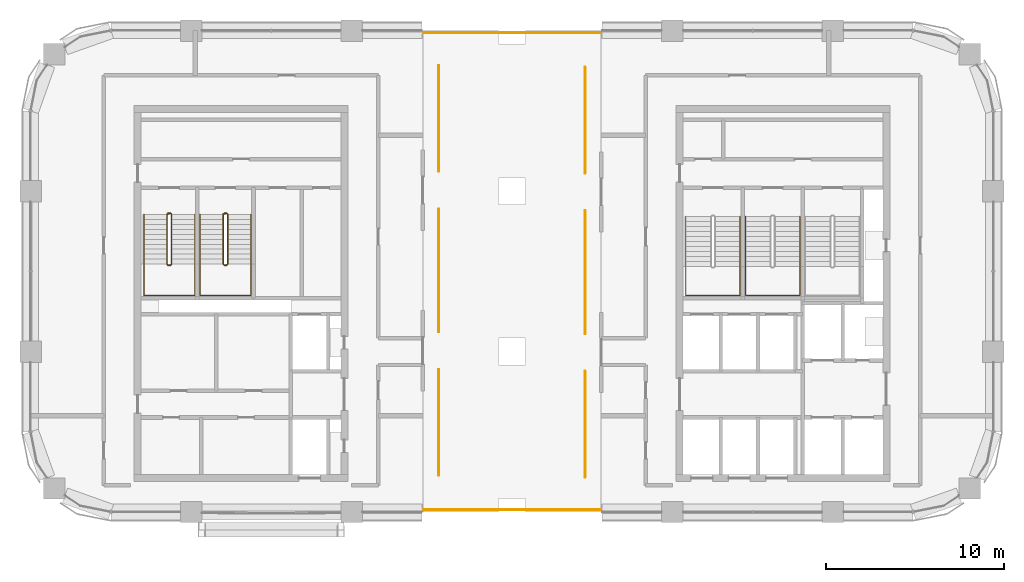
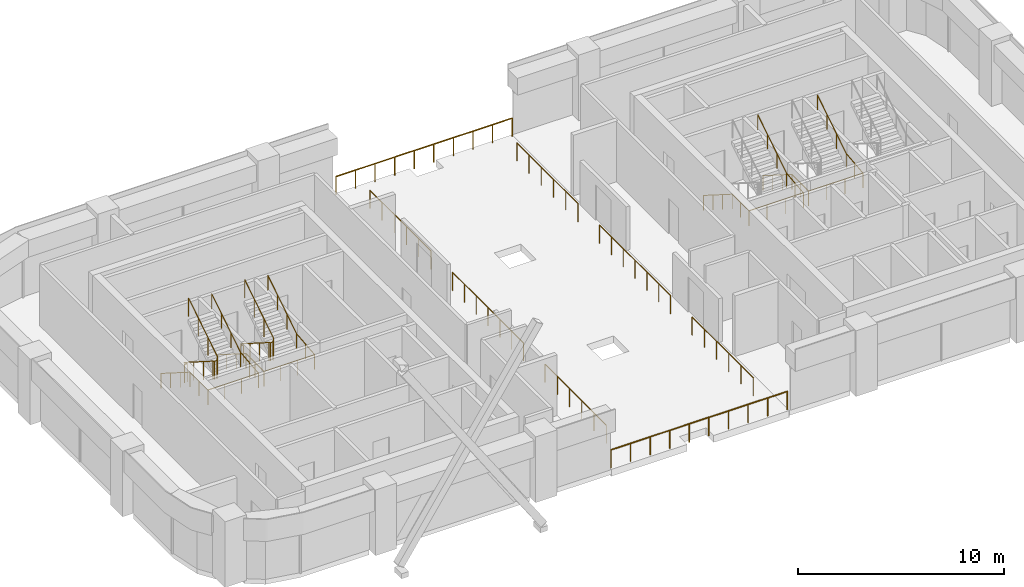
# One storey, part 10 of 11: 14 railings.
"""IFC4 building model written with IfcOpenShell, lengths in metres."""

from ifc_helpers import new_model, si_unit, direction, frame, origin, origin_2d, place, context, subcontext, project, spatial, circle, extrude, material, type_object, element, save


model = new_model("IFC4")

# Units and contexts
model_context = context("Model", 3, precision=1e-05, world=origin(), true_north=direction((0.0, 1.0)))
body_context = subcontext(model_context, "Body", "Model", "MODEL_VIEW")
ifc_project = project(units=[si_unit("LENGTHUNIT", "METRE"), si_unit("AREAUNIT", "SQUARE_METRE"), si_unit("VOLUMEUNIT", "CUBIC_METRE"), si_unit("PLANEANGLEUNIT", "RADIAN"), si_unit("MASSUNIT", "GRAM", prefix="KILO")], contexts=[model_context])

# Site, building, storey
site_placement = place(None, origin())
site = spatial("IfcSite", under=ifc_project, at=site_placement, CompositionType="ELEMENT")
building_placement = place(site_placement, origin())
building = spatial("IfcBuilding", under=site, at=building_placement, Name="Tessera Arch", CompositionType="ELEMENT")
storey_placement = place(building_placement, frame((0.0, 0.0, 203.300048828125)))
storey = spatial("IfcBuildingStorey", under=building, at=storey_placement, Name="L48", CompositionType="ELEMENT", Elevation=203.300048828125)

# Railings
ifc_material_1 = material(Name="Stainless steel and clear glass", Category="steel")
railing_type_1 = type_object("IfcRailingType", Name="Guard 1100", PredefinedType="GUARDRAIL", material=ifc_material_1)
railing_1_placement = place(storey_placement, frame((31.949951171875, 27.1201171875, 0.0)))
element("IfcRailing", 1, at=railing_1_placement, inside=storey, type_object=railing_type_1, Name="Guard wind gallery 1", PredefinedType="GUARDRAIL", context=body_context, shape_type="SweptSolid", body=[
    extrude(circle(Radius=0.02490234375, at=origin_2d()), frame((0.00390625, 0.0, 1.0751953125), z_axis=(-1.0, 0.0, 0.0), x_axis=(0.0, -1.0, 0.0)), (0.0, 0.0, 1.0), 9.907958984375),
    extrude(circle(Radius=0.02001953125, at=origin_2d()), origin(), (0.0, 0.0, 1.0), 1.06201171875),
    extrude(circle(Radius=0.02001953125, at=origin_2d()), frame((-1.10009765625, 0.0, 0.0)), (0.0, 0.0, 1.0), 1.06201171875),
    extrude(circle(Radius=0.02001953125, at=origin_2d()), frame((-2.199951171875, 0.0, 0.0)), (0.0, 0.0, 1.0), 1.06201171875),
    extrude(circle(Radius=0.02001953125, at=origin_2d()), frame((-3.300048828125, 0.0, 0.0)), (0.0, 0.0, 1.0), 1.06201171875),
    extrude(circle(Radius=0.02001953125, at=origin_2d()), frame((-4.39990234375, 0.0, 0.0)), (0.0, 0.0, 1.0), 1.06201171875),
    extrude(circle(Radius=0.02001953125, at=origin_2d()), frame((-5.5, 0.0, 0.0)), (0.0, 0.0, 1.0), 1.06201171875),
    extrude(circle(Radius=0.02001953125, at=origin_2d()), frame((-6.599853515625, 0.0, 0.0)), (0.0, 0.0, 1.0), 1.06201171875),
    extrude(circle(Radius=0.02001953125, at=origin_2d()), frame((-7.699951171875, 0.0, 0.0)), (0.0, 0.0, 1.0), 1.06201171875),
    extrude(circle(Radius=0.02001953125, at=origin_2d()), frame((-8.7998046875, 0.0, 0.0)), (0.0, 0.0, 1.0), 1.06201171875),
    extrude(circle(Radius=0.02001953125, at=origin_2d()), frame((-9.89990234375, 0.0, 0.0)), (0.0, 0.0, 1.0), 1.06201171875),
])
railing_2_placement = place(storey_placement, frame((22.050048828125, 53.8798828125, 0.0)))
element("IfcRailing", 2, at=railing_2_placement, inside=storey, type_object=railing_type_1, Name="Guard wind gallery 2", PredefinedType="GUARDRAIL", context=body_context, shape_type="SweptSolid", body=[
    extrude(circle(Radius=0.02490234375, at=origin_2d()), frame((-0.00390625, 0.0, 1.0751953125), z_axis=(1.0, 0.0, 0.0), x_axis=(0.0, 1.0, 0.0)), (0.0, 0.0, 1.0), 9.907958984375),
    extrude(circle(Radius=0.02001953125, at=origin_2d()), origin(), (0.0, 0.0, 1.0), 1.06201171875),
    extrude(circle(Radius=0.02001953125, at=origin_2d()), frame((1.10009765625, 0.0, 0.0)), (0.0, 0.0, 1.0), 1.06201171875),
    extrude(circle(Radius=0.02001953125, at=origin_2d()), frame((2.199951171875, 0.0, 0.0)), (0.0, 0.0, 1.0), 1.06201171875),
    extrude(circle(Radius=0.02001953125, at=origin_2d()), frame((3.300048828125, 0.0, 0.0)), (0.0, 0.0, 1.0), 1.06201171875),
    extrude(circle(Radius=0.02001953125, at=origin_2d()), frame((4.39990234375, 0.0, 0.0)), (0.0, 0.0, 1.0), 1.06201171875),
    extrude(circle(Radius=0.02001953125, at=origin_2d()), frame((5.5, 0.0, 0.0)), (0.0, 0.0, 1.0), 1.06201171875),
    extrude(circle(Radius=0.02001953125, at=origin_2d()), frame((6.599853515625, 0.0, 0.0)), (0.0, 0.0, 1.0), 1.06201171875),
    extrude(circle(Radius=0.02001953125, at=origin_2d()), frame((7.699951171875, 0.0, 0.0)), (0.0, 0.0, 1.0), 1.06201171875),
    extrude(circle(Radius=0.02001953125, at=origin_2d()), frame((8.7998046875, 0.0, 0.0)), (0.0, 0.0, 1.0), 1.06201171875),
    extrude(circle(Radius=0.02001953125, at=origin_2d()), frame((9.89990234375, 0.0, 0.0)), (0.0, 0.0, 1.0), 1.06201171875),
])
railing_3_placement = place(storey_placement, frame((31.10009765625, 51.949951171875, 0.0)))
element("IfcRailing", 3, at=railing_3_placement, inside=storey, type_object=railing_type_1, Name="Guard terrace wall side 1.1", PredefinedType="GUARDRAIL", context=body_context, shape_type="SweptSolid", body=[
    extrude(circle(Radius=0.02490234375, at=origin_2d()), frame((0.0, 0.00390625, 1.0751953125), z_axis=(0.0, -1.0, 0.0), x_axis=(1.0, 0.0, 0.0)), (0.0, 0.0, 1.0), 5.9580078125),
    extrude(circle(Radius=0.02001953125, at=origin_2d()), origin(), (0.0, 0.0, 1.0), 1.06201171875),
    extrude(circle(Radius=0.02001953125, at=origin_2d()), frame((0.0, -1.18994140625, 0.0)), (0.0, 0.0, 1.0), 1.06201171875),
    extrude(circle(Radius=0.02001953125, at=origin_2d()), frame((0.0, -2.3798828125, 0.0)), (0.0, 0.0, 1.0), 1.06201171875),
    extrude(circle(Radius=0.02001953125, at=origin_2d()), frame((0.0, -3.570068359375, 0.0)), (0.0, 0.0, 1.0), 1.06201171875),
    extrude(circle(Radius=0.02001953125, at=origin_2d()), frame((0.0, -4.760009765625, 0.0)), (0.0, 0.0, 1.0), 1.06201171875),
    extrude(circle(Radius=0.02001953125, at=origin_2d()), frame((0.0, -5.949951171875, 0.0)), (0.0, 0.0, 1.0), 1.06201171875),
])
railing_4_placement = place(storey_placement, frame((31.10009765625, 43.89990234375, 0.0)))
element("IfcRailing", 4, at=railing_4_placement, inside=storey, type_object=railing_type_1, Name="Guard terrace wall side 1.2", PredefinedType="GUARDRAIL", context=body_context, shape_type="SweptSolid", body=[
    extrude(circle(Radius=0.02490234375, at=origin_2d()), frame((0.0, 0.00390625, 1.0751953125), z_axis=(0.0, -1.0, 0.0), x_axis=(1.0, 0.0, 0.0)), (0.0, 0.0, 1.0), 6.907958984375),
    extrude(circle(Radius=0.02001953125, at=origin_2d()), origin(), (0.0, 0.0, 1.0), 1.06201171875),
    extrude(circle(Radius=0.02001953125, at=origin_2d()), frame((0.0, -1.14990234375, 0.0)), (0.0, 0.0, 1.0), 1.06201171875),
    extrude(circle(Radius=0.02001953125, at=origin_2d()), frame((0.0, -2.300048828125, 0.0)), (0.0, 0.0, 1.0), 1.06201171875),
    extrude(circle(Radius=0.02001953125, at=origin_2d()), frame((0.0, -3.449951171875, 0.0)), (0.0, 0.0, 1.0), 1.06201171875),
    extrude(circle(Radius=0.02001953125, at=origin_2d()), frame((0.0, -4.599853515625, 0.0)), (0.0, 0.0, 1.0), 1.06201171875),
    extrude(circle(Radius=0.02001953125, at=origin_2d()), frame((0.0, -5.75, 0.0)), (0.0, 0.0, 1.0), 1.06201171875),
    extrude(circle(Radius=0.02001953125, at=origin_2d()), frame((0.0, -6.89990234375, 0.0)), (0.0, 0.0, 1.0), 1.06201171875),
])
railing_5_placement = place(storey_placement, frame((31.10009765625, 34.89990234375, 0.0)))
element("IfcRailing", 5, at=railing_5_placement, inside=storey, type_object=railing_type_1, Name="Guard terrace wall side 1.3", PredefinedType="GUARDRAIL", context=body_context, shape_type="SweptSolid", body=[
    extrude(circle(Radius=0.02490234375, at=origin_2d()), frame((0.0, 0.00390625, 1.0751953125), z_axis=(0.0, -1.0, 0.0), x_axis=(1.0, 0.0, 0.0)), (0.0, 0.0, 1.0), 5.9580078125),
    extrude(circle(Radius=0.02001953125, at=origin_2d()), origin(), (0.0, 0.0, 1.0), 1.06201171875),
    extrude(circle(Radius=0.02001953125, at=origin_2d()), frame((0.0, -1.18994140625, 0.0)), (0.0, 0.0, 1.0), 1.06201171875),
    extrude(circle(Radius=0.02001953125, at=origin_2d()), frame((0.0, -2.3798828125, 0.0)), (0.0, 0.0, 1.0), 1.06201171875),
    extrude(circle(Radius=0.02001953125, at=origin_2d()), frame((0.0, -3.570068359375, 0.0)), (0.0, 0.0, 1.0), 1.06201171875),
    extrude(circle(Radius=0.02001953125, at=origin_2d()), frame((0.0, -4.760009765625, 0.0)), (0.0, 0.0, 1.0), 1.06201171875),
    extrude(circle(Radius=0.02001953125, at=origin_2d()), frame((0.0, -5.949951171875, 0.0)), (0.0, 0.0, 1.0), 1.06201171875),
])
railing_6_placement = place(storey_placement, frame((22.89990234375, 29.050048828125, 0.0)))
element("IfcRailing", 6, at=railing_6_placement, inside=storey, type_object=railing_type_1, Name="Guard terrace wall side 2.1", PredefinedType="GUARDRAIL", context=body_context, shape_type="SweptSolid", body=[
    extrude(circle(Radius=0.02490234375, at=origin_2d()), frame((0.0, -0.00390625, 1.0751953125), z_axis=(0.0, 1.0, 0.0), x_axis=(-1.0, 0.0, 0.0)), (0.0, 0.0, 1.0), 5.9580078125),
    extrude(circle(Radius=0.02001953125, at=origin_2d()), origin(), (0.0, 0.0, 1.0), 1.06201171875),
    extrude(circle(Radius=0.02001953125, at=origin_2d()), frame((0.0, 1.18994140625, 0.0)), (0.0, 0.0, 1.0), 1.06201171875),
    extrude(circle(Radius=0.02001953125, at=origin_2d()), frame((0.0, 2.3798828125, 0.0)), (0.0, 0.0, 1.0), 1.06201171875),
    extrude(circle(Radius=0.02001953125, at=origin_2d()), frame((0.0, 3.570068359375, 0.0)), (0.0, 0.0, 1.0), 1.06201171875),
    extrude(circle(Radius=0.02001953125, at=origin_2d()), frame((0.0, 4.760009765625, 0.0)), (0.0, 0.0, 1.0), 1.06201171875),
    extrude(circle(Radius=0.02001953125, at=origin_2d()), frame((0.0, 5.949951171875, 0.0)), (0.0, 0.0, 1.0), 1.06201171875),
])
railing_7_placement = place(storey_placement, frame((22.89990234375, 37.10009765625, 0.0)))
element("IfcRailing", 7, at=railing_7_placement, inside=storey, type_object=railing_type_1, Name="Guard terrace wall side 2.2", PredefinedType="GUARDRAIL", context=body_context, shape_type="SweptSolid", body=[
    extrude(circle(Radius=0.02490234375, at=origin_2d()), frame((0.0, -0.00390625, 1.0751953125), z_axis=(0.0, 1.0, 0.0), x_axis=(-1.0, 0.0, 0.0)), (0.0, 0.0, 1.0), 6.907958984375),
    extrude(circle(Radius=0.02001953125, at=origin_2d()), origin(), (0.0, 0.0, 1.0), 1.06201171875),
    extrude(circle(Radius=0.02001953125, at=origin_2d()), frame((0.0, 1.14990234375, 0.0)), (0.0, 0.0, 1.0), 1.06201171875),
    extrude(circle(Radius=0.02001953125, at=origin_2d()), frame((0.0, 2.300048828125, 0.0)), (0.0, 0.0, 1.0), 1.06201171875),
    extrude(circle(Radius=0.02001953125, at=origin_2d()), frame((0.0, 3.449951171875, 0.0)), (0.0, 0.0, 1.0), 1.06201171875),
    extrude(circle(Radius=0.02001953125, at=origin_2d()), frame((0.0, 4.599853515625, 0.0)), (0.0, 0.0, 1.0), 1.06201171875),
    extrude(circle(Radius=0.02001953125, at=origin_2d()), frame((0.0, 5.75, 0.0)), (0.0, 0.0, 1.0), 1.06201171875),
    extrude(circle(Radius=0.02001953125, at=origin_2d()), frame((0.0, 6.89990234375, 0.0)), (0.0, 0.0, 1.0), 1.06201171875),
])
railing_8_placement = place(storey_placement, frame((22.89990234375, 46.10009765625, 0.0)))
element("IfcRailing", 8, at=railing_8_placement, inside=storey, type_object=railing_type_1, Name="Guard terrace wall side 2.3", PredefinedType="GUARDRAIL", context=body_context, shape_type="SweptSolid", body=[
    extrude(circle(Radius=0.02490234375, at=origin_2d()), frame((0.0, -0.00390625, 1.0751953125), z_axis=(0.0, 1.0, 0.0), x_axis=(-1.0, 0.0, 0.0)), (0.0, 0.0, 1.0), 5.9580078125),
    extrude(circle(Radius=0.02001953125, at=origin_2d()), origin(), (0.0, 0.0, 1.0), 1.06201171875),
    extrude(circle(Radius=0.02001953125, at=origin_2d()), frame((0.0, 1.18994140625, 0.0)), (0.0, 0.0, 1.0), 1.06201171875),
    extrude(circle(Radius=0.02001953125, at=origin_2d()), frame((0.0, 2.3798828125, 0.0)), (0.0, 0.0, 1.0), 1.06201171875),
    extrude(circle(Radius=0.02001953125, at=origin_2d()), frame((0.0, 3.570068359375, 0.0)), (0.0, 0.0, 1.0), 1.06201171875),
    extrude(circle(Radius=0.02001953125, at=origin_2d()), frame((0.0, 4.760009765625, 0.0)), (0.0, 0.0, 1.0), 1.06201171875),
    extrude(circle(Radius=0.02001953125, at=origin_2d()), frame((0.0, 5.949951171875, 0.0)), (0.0, 0.0, 1.0), 1.06201171875),
])
ifc_material_2 = material(Name="Painted steel balustrade", Category="steel")
railing_type_2 = type_object("IfcRailingType", Name="Stair guard 1100", PredefinedType="GUARDRAIL", material=ifc_material_2)
railing_9_placement = place(storey_placement, frame((7.699951171875, 43.75, 0.0)))
element("IfcRailing", 9, at=railing_9_placement, inside=storey, type_object=railing_type_2, Name="L48 S2a stair guard 1", PredefinedType="GUARDRAIL", context=body_context, shape_type="SweptSolid", body=[
    extrude(circle(Radius=0.02392578125, at=origin_2d()), frame((-0.00390625, 0.0, 1.076171875), z_axis=(1.0, 0.0, 0.0), x_axis=(0.0, 1.0, 0.0)), (0.0, 0.0, 1.0), 0.158203125),
    extrude(circle(Radius=0.02392578125, at=origin_2d()), frame((0.153076171875, 0.000732421875, 1.073486328125), z_axis=(-0.735936453418, -0.183984113355, 0.651573006319), x_axis=(0.242535625036, -0.970142500145, 0.0)), (0.0, 0.0, 1.0), 0.280029296875),
    extrude(circle(Radius=0.02392578125, at=origin_2d()), frame((-0.050048828125, -0.046630859375, 1.251220703125), z_axis=(0.0, -0.844908973607, 0.534910110503), x_axis=(1.0, 0.0, 0.0)), (0.0, 0.0, 1.0), 3.322021484375),
    extrude(circle(Radius=0.02392578125, at=origin_2d()), frame((-0.052978515625, -2.84716796875, 3.02587890625), z_axis=(0.708833529934, -0.705375805398, 0.0), x_axis=(0.705375805398, 0.708833529934, 0.0)), (0.0, 0.0, 1.0), 0.07861328125),
    extrude(circle(Radius=0.02392578125, at=origin_2d()), frame((-0.00390625, -2.89990234375, 3.02587890625), z_axis=(1.0, 0.0, 0.0), x_axis=(0.0, 1.0, 0.0)), (0.0, 0.0, 1.0), 0.158203125),
    extrude(circle(Radius=0.02392578125, at=origin_2d()), frame((0.149169921875, -2.90087890625, 3.022216796875), z_axis=(0.261129318932, 0.261129318932, 0.929313164433), x_axis=(-0.707106781187, 0.707106781187, 0.0)), (0.0, 0.0, 1.0), 0.19873046875),
    extrude(circle(Radius=0.02392578125, at=origin_2d()), frame((0.199951171875, -2.853515625, 3.201171875), z_axis=(0.0, 0.844908973607, 0.534910110503), x_axis=(-1.0, 0.0, 0.0)), (0.0, 0.0, 1.0), 3.322021484375),
    extrude(circle(Radius=0.02099609375, at=origin_2d()), origin(), (0.0, 0.0, 1.0), 1.06396484375),
    extrude(circle(Radius=0.02099609375, at=origin_2d()), frame((0.150146484375, 0.0, 0.0)), (0.0, 0.0, 1.0), 1.06396484375),
    extrude(circle(Radius=0.02099609375, at=origin_2d()), frame((-0.050048828125, -0.050048828125, 0.17724609375)), (0.0, 0.0, 1.0), 1.06396484375),
    extrude(circle(Radius=0.02099609375, at=origin_2d()), frame((-0.050048828125, -0.9833984375, 0.76806640625)), (0.0, 0.0, 1.0), 1.06396484375),
    extrude(circle(Radius=0.02099609375, at=origin_2d()), frame((-0.050048828125, -1.916748046875, 1.359130859375)), (0.0, 0.0, 1.0), 1.06396484375),
    extrude(circle(Radius=0.02099609375, at=origin_2d()), frame((-0.050048828125, -2.85009765625, 1.949951171875)), (0.0, 0.0, 1.0), 1.06396484375),
    extrude(circle(Radius=0.02099609375, at=origin_2d()), frame((0.0, -2.89990234375, 1.949951171875)), (0.0, 0.0, 1.0), 1.06396484375),
    extrude(circle(Radius=0.02099609375, at=origin_2d()), frame((0.150146484375, -2.89990234375, 1.949951171875)), (0.0, 0.0, 1.0), 1.06396484375),
    extrude(circle(Radius=0.02099609375, at=origin_2d()), frame((0.199951171875, -2.85009765625, 2.127197265625)), (0.0, 0.0, 1.0), 1.06396484375),
    extrude(circle(Radius=0.02099609375, at=origin_2d()), frame((0.199951171875, -1.916748046875, 2.718017578125)), (0.0, 0.0, 1.0), 1.06396484375),
    extrude(circle(Radius=0.02099609375, at=origin_2d()), frame((0.199951171875, -0.9833984375, 3.30908203125)), (0.0, 0.0, 1.0), 1.06396484375),
    extrude(circle(Radius=0.02099609375, at=origin_2d()), frame((0.199951171875, -0.050048828125, 3.89990234375)), (0.0, 0.0, 1.0), 1.06396484375),
])
railing_10_placement = place(storey_placement, frame((10.85009765625, 43.75, 0.0)))
element("IfcRailing", 10, at=railing_10_placement, inside=storey, type_object=railing_type_2, Name="L48 S2b stair guard 1", PredefinedType="GUARDRAIL", context=body_context, shape_type="SweptSolid", body=[
    extrude(circle(Radius=0.02392578125, at=origin_2d()), frame((-0.00390625, 0.0, 1.076171875), z_axis=(1.0, 0.0, 0.0), x_axis=(0.0, 1.0, 0.0)), (0.0, 0.0, 1.0), 0.157958984375),
    extrude(circle(Radius=0.02392578125, at=origin_2d()), frame((0.15283203125, 0.000732421875, 1.073486328125), z_axis=(-0.735524641326, -0.184105679453, 0.652003528208), x_axis=(0.242814311512, -0.970072785993, 0.0)), (0.0, 0.0, 1.0), 0.27978515625),
    extrude(circle(Radius=0.02392578125, at=origin_2d()), frame((-0.050048828125, -0.046630859375, 1.251220703125), z_axis=(0.0, -0.844908973607, 0.534910110503), x_axis=(1.0, 0.0, 0.0)), (0.0, 0.0, 1.0), 3.322021484375),
    extrude(circle(Radius=0.02392578125, at=origin_2d()), frame((-0.052978515625, -2.84716796875, 3.02587890625), z_axis=(0.708833529934, -0.705375805398, 0.0), x_axis=(0.705375805398, 0.708833529934, 0.0)), (0.0, 0.0, 1.0), 0.07861328125),
    extrude(circle(Radius=0.02392578125, at=origin_2d()), frame((-0.00390625, -2.89990234375, 3.02587890625), z_axis=(1.0, 0.0, 0.0), x_axis=(0.0, 1.0, 0.0)), (0.0, 0.0, 1.0), 0.157958984375),
    extrude(circle(Radius=0.02392578125, at=origin_2d()), frame((0.14892578125, -2.90087890625, 3.022216796875), z_axis=(0.262321481514, 0.261041864531, 0.929001929653), x_axis=(-0.705375805398, 0.708833529934, 0.0)), (0.0, 0.0, 1.0), 0.19873046875),
    extrude(circle(Radius=0.02392578125, at=origin_2d()), frame((0.199951171875, -2.853515625, 3.201171875), z_axis=(0.0, 0.844908973607, 0.534910110503), x_axis=(-1.0, 0.0, 0.0)), (0.0, 0.0, 1.0), 3.322021484375),
    extrude(circle(Radius=0.02099609375, at=origin_2d()), origin(), (0.0, 0.0, 1.0), 1.06396484375),
    extrude(circle(Radius=0.02099609375, at=origin_2d()), frame((0.14990234375, 0.0, 0.0)), (0.0, 0.0, 1.0), 1.06396484375),
    extrude(circle(Radius=0.02099609375, at=origin_2d()), frame((-0.050048828125, -0.050048828125, 0.17724609375)), (0.0, 0.0, 1.0), 1.06396484375),
    extrude(circle(Radius=0.02099609375, at=origin_2d()), frame((-0.050048828125, -0.9833984375, 0.76806640625)), (0.0, 0.0, 1.0), 1.06396484375),
    extrude(circle(Radius=0.02099609375, at=origin_2d()), frame((-0.050048828125, -1.916748046875, 1.359130859375)), (0.0, 0.0, 1.0), 1.06396484375),
    extrude(circle(Radius=0.02099609375, at=origin_2d()), frame((-0.050048828125, -2.85009765625, 1.949951171875)), (0.0, 0.0, 1.0), 1.06396484375),
    extrude(circle(Radius=0.02099609375, at=origin_2d()), frame((0.0, -2.89990234375, 1.949951171875)), (0.0, 0.0, 1.0), 1.06396484375),
    extrude(circle(Radius=0.02099609375, at=origin_2d()), frame((0.14990234375, -2.89990234375, 1.949951171875)), (0.0, 0.0, 1.0), 1.06396484375),
    extrude(circle(Radius=0.02099609375, at=origin_2d()), frame((0.199951171875, -2.85009765625, 2.127197265625)), (0.0, 0.0, 1.0), 1.06396484375),
    extrude(circle(Radius=0.02099609375, at=origin_2d()), frame((0.199951171875, -1.916748046875, 2.718017578125)), (0.0, 0.0, 1.0), 1.06396484375),
    extrude(circle(Radius=0.02099609375, at=origin_2d()), frame((0.199951171875, -0.9833984375, 3.30908203125)), (0.0, 0.0, 1.0), 1.06396484375),
    extrude(circle(Radius=0.02099609375, at=origin_2d()), frame((0.199951171875, -0.050048828125, 3.89990234375)), (0.0, 0.0, 1.0), 1.06396484375),
])
ifc_material_3 = material(Name="Painted steel handrail", Category="steel")
railing_type_3 = type_object("IfcRailingType", Name="Stair handrail 900", PredefinedType="HANDRAIL", material=ifc_material_3)
railing_11_placement = place(storey_placement, frame((36.75, 43.580078125, 0.17724609375)))
element("IfcRailing", 11, at=railing_11_placement, inside=storey, type_object=railing_type_3, Name="L48 S1a stair handrail", PredefinedType="HANDRAIL", context=body_context, shape_type="SweptSolid", body=[
    extrude(circle(Radius=0.02392578125, at=origin_2d()), frame((0.0, 0.00341796875, 0.873779296875), z_axis=(0.0, -0.844908973607, 0.534910110503), x_axis=(1.0, 0.0, 0.0)), (0.0, 0.0, 1.0), 3.322021484375),
    extrude(circle(Radius=0.02392578125, at=origin_2d()), frame((0.0, -2.796142578125, 2.6484375), z_axis=(0.0, -1.0, 0.0), x_axis=(1.0, 0.0, 0.0)), (0.0, 0.0, 1.0), 1.63818359375),
    extrude(circle(Radius=0.02392578125, at=origin_2d()), frame((-0.00390625, -4.43017578125, 2.6484375), z_axis=(1.0, 0.0, 0.0), x_axis=(0.0, 1.0, 0.0)), (0.0, 0.0, 1.0), 3.05810546875),
    extrude(circle(Radius=0.02392578125, at=origin_2d()), frame((3.050048828125, -4.43408203125, 2.648193359375), z_axis=(0.0, 0.994140637614, 0.108094369164), x_axis=(-1.0, 0.0, 0.0)), (0.0, 0.0, 1.0), 1.647705078125),
    extrude(circle(Radius=0.02392578125, at=origin_2d()), frame((3.050048828125, -2.803466796875, 2.82373046875), z_axis=(0.0, 0.844908973607, 0.534910110503), x_axis=(-1.0, 0.0, 0.0)), (0.0, 0.0, 1.0), 3.322021484375),
    extrude(circle(Radius=0.02099609375, at=origin_2d()), origin(), (0.0, 0.0, 1.0), 0.86376953125),
    extrude(circle(Radius=0.02099609375, at=origin_2d()), frame((0.0, -0.933349609375, 0.5908203125)), (0.0, 0.0, 1.0), 0.86376953125),
    extrude(circle(Radius=0.02099609375, at=origin_2d()), frame((0.0, -1.86669921875, 1.181884765625)), (0.0, 0.0, 1.0), 0.86376953125),
    extrude(circle(Radius=0.02099609375, at=origin_2d()), frame((0.0, -2.800048828125, 1.772705078125)), (0.0, 0.0, 1.0), 0.86376953125),
    extrude(circle(Radius=0.02099609375, at=origin_2d()), frame((0.0, -3.615234375, 1.772705078125)), (0.0, 0.0, 1.0), 0.86376953125),
    extrude(circle(Radius=0.02099609375, at=origin_2d()), frame((0.0, -4.43017578125, 1.772705078125)), (0.0, 0.0, 1.0), 0.86376953125),
    extrude(circle(Radius=0.02099609375, at=origin_2d()), frame((1.0166015625, -4.43017578125, 1.772705078125)), (0.0, 0.0, 1.0), 0.86376953125),
    extrude(circle(Radius=0.02099609375, at=origin_2d()), frame((2.033447265625, -4.43017578125, 1.772705078125)), (0.0, 0.0, 1.0), 0.86376953125),
    extrude(circle(Radius=0.02099609375, at=origin_2d()), frame((3.050048828125, -4.43017578125, 1.772705078125)), (0.0, 0.0, 1.0), 0.86376953125),
    extrude(circle(Radius=0.02099609375, at=origin_2d()), frame((3.050048828125, -3.615234375, 1.861328125)), (0.0, 0.0, 1.0), 0.86376953125),
    extrude(circle(Radius=0.02099609375, at=origin_2d()), frame((3.050048828125, -2.800048828125, 1.949951171875)), (0.0, 0.0, 1.0), 0.86376953125),
    extrude(circle(Radius=0.02099609375, at=origin_2d()), frame((3.050048828125, -1.86669921875, 2.540771484375)), (0.0, 0.0, 1.0), 0.86376953125),
    extrude(circle(Radius=0.02099609375, at=origin_2d()), frame((3.050048828125, -0.933349609375, 3.1318359375)), (0.0, 0.0, 1.0), 0.86376953125),
    extrude(circle(Radius=0.02099609375, at=origin_2d()), frame((3.050048828125, 0.0, 3.72265625)), (0.0, 0.0, 1.0), 0.86376953125),
])
railing_12_placement = place(storey_placement, frame((40.10009765625, 43.580078125, 0.17724609375)))
element("IfcRailing", 12, at=railing_12_placement, inside=storey, type_object=railing_type_3, Name="L48 S1b stair handrail", PredefinedType="HANDRAIL", context=body_context, shape_type="SweptSolid", body=[
    extrude(circle(Radius=0.02392578125, at=origin_2d()), frame((0.0, 0.00341796875, 0.873779296875), z_axis=(0.0, -0.844908973607, 0.534910110503), x_axis=(1.0, 0.0, 0.0)), (0.0, 0.0, 1.0), 3.322021484375),
    extrude(circle(Radius=0.02392578125, at=origin_2d()), frame((0.0, -2.796142578125, 2.6484375), z_axis=(0.0, -1.0, 0.0), x_axis=(1.0, 0.0, 0.0)), (0.0, 0.0, 1.0), 1.63818359375),
    extrude(circle(Radius=0.02392578125, at=origin_2d()), frame((-0.00390625, -4.43017578125, 2.6484375), z_axis=(1.0, 0.0, 0.0), x_axis=(0.0, 1.0, 0.0)), (0.0, 0.0, 1.0), 3.057861328125),
    extrude(circle(Radius=0.02392578125, at=origin_2d()), frame((3.0498046875, -4.43408203125, 2.648193359375), z_axis=(0.0, 0.994140637614, 0.108094369164), x_axis=(-1.0, 0.0, 0.0)), (0.0, 0.0, 1.0), 1.647705078125),
    extrude(circle(Radius=0.02392578125, at=origin_2d()), frame((3.0498046875, -2.803466796875, 2.82373046875), z_axis=(0.0, 0.844908973607, 0.534910110503), x_axis=(-1.0, 0.0, 0.0)), (0.0, 0.0, 1.0), 3.322021484375),
    extrude(circle(Radius=0.02099609375, at=origin_2d()), origin(), (0.0, 0.0, 1.0), 0.86376953125),
    extrude(circle(Radius=0.02099609375, at=origin_2d()), frame((0.0, -0.933349609375, 0.5908203125)), (0.0, 0.0, 1.0), 0.86376953125),
    extrude(circle(Radius=0.02099609375, at=origin_2d()), frame((0.0, -1.86669921875, 1.181884765625)), (0.0, 0.0, 1.0), 0.86376953125),
    extrude(circle(Radius=0.02099609375, at=origin_2d()), frame((0.0, -2.800048828125, 1.772705078125)), (0.0, 0.0, 1.0), 0.86376953125),
    extrude(circle(Radius=0.02099609375, at=origin_2d()), frame((0.0, -3.615234375, 1.772705078125)), (0.0, 0.0, 1.0), 0.86376953125),
    extrude(circle(Radius=0.02099609375, at=origin_2d()), frame((0.0, -4.43017578125, 1.772705078125)), (0.0, 0.0, 1.0), 0.86376953125),
    extrude(circle(Radius=0.02099609375, at=origin_2d()), frame((1.0166015625, -4.43017578125, 1.772705078125)), (0.0, 0.0, 1.0), 0.86376953125),
    extrude(circle(Radius=0.02099609375, at=origin_2d()), frame((2.033203125, -4.43017578125, 1.772705078125)), (0.0, 0.0, 1.0), 0.86376953125),
    extrude(circle(Radius=0.02099609375, at=origin_2d()), frame((3.0498046875, -4.43017578125, 1.772705078125)), (0.0, 0.0, 1.0), 0.86376953125),
    extrude(circle(Radius=0.02099609375, at=origin_2d()), frame((3.0498046875, -3.615234375, 1.861328125)), (0.0, 0.0, 1.0), 0.86376953125),
    extrude(circle(Radius=0.02099609375, at=origin_2d()), frame((3.0498046875, -2.800048828125, 1.949951171875)), (0.0, 0.0, 1.0), 0.86376953125),
    extrude(circle(Radius=0.02099609375, at=origin_2d()), frame((3.0498046875, -1.86669921875, 2.540771484375)), (0.0, 0.0, 1.0), 0.86376953125),
    extrude(circle(Radius=0.02099609375, at=origin_2d()), frame((3.0498046875, -0.933349609375, 3.1318359375)), (0.0, 0.0, 1.0), 0.86376953125),
    extrude(circle(Radius=0.02099609375, at=origin_2d()), frame((3.0498046875, 0.0, 3.72265625)), (0.0, 0.0, 1.0), 0.86376953125),
])
railing_13_placement = place(storey_placement, frame((6.35009765625, 43.699951171875, 0.17724609375)))
element("IfcRailing", 13, at=railing_13_placement, inside=storey, type_object=railing_type_3, Name="L48 S2a stair handrail", PredefinedType="HANDRAIL", context=body_context, shape_type="SweptSolid", body=[
    extrude(circle(Radius=0.02392578125, at=origin_2d()), frame((0.0, 0.00341796875, 0.873779296875), z_axis=(0.0, -0.844908973607, 0.534910110503), x_axis=(1.0, 0.0, 0.0)), (0.0, 0.0, 1.0), 3.322021484375),
    extrude(circle(Radius=0.02392578125, at=origin_2d()), frame((0.0, -2.796142578125, 2.6484375), z_axis=(0.0, -1.0, 0.0), x_axis=(1.0, 0.0, 0.0)), (0.0, 0.0, 1.0), 1.758056640625),
    extrude(circle(Radius=0.02392578125, at=origin_2d()), frame((-0.00390625, -4.550048828125, 2.6484375), z_axis=(1.0, 0.0, 0.0), x_axis=(0.0, 1.0, 0.0)), (0.0, 0.0, 1.0), 2.85791015625),
    extrude(circle(Radius=0.02392578125, at=origin_2d()), frame((2.849853515625, -4.553955078125, 2.648193359375), z_axis=(0.0, 0.994909956378, 0.100767944801), x_axis=(-1.0, 0.0, 0.0)), (0.0, 0.0, 1.0), 1.766845703125),
    extrude(circle(Radius=0.02392578125, at=origin_2d()), frame((2.849853515625, -2.803466796875, 2.82373046875), z_axis=(0.0, 0.844908973607, 0.534910110503), x_axis=(-1.0, 0.0, 0.0)), (0.0, 0.0, 1.0), 3.322021484375),
    extrude(circle(Radius=0.02099609375, at=origin_2d()), origin(), (0.0, 0.0, 1.0), 0.86376953125),
    extrude(circle(Radius=0.02099609375, at=origin_2d()), frame((0.0, -0.933349609375, 0.5908203125)), (0.0, 0.0, 1.0), 0.86376953125),
    extrude(circle(Radius=0.02099609375, at=origin_2d()), frame((0.0, -1.86669921875, 1.181884765625)), (0.0, 0.0, 1.0), 0.86376953125),
    extrude(circle(Radius=0.02099609375, at=origin_2d()), frame((0.0, -2.800048828125, 1.772705078125)), (0.0, 0.0, 1.0), 0.86376953125),
    extrude(circle(Radius=0.02099609375, at=origin_2d()), frame((0.0, -3.675048828125, 1.772705078125)), (0.0, 0.0, 1.0), 0.86376953125),
    extrude(circle(Radius=0.02099609375, at=origin_2d()), frame((0.0, -4.550048828125, 1.772705078125)), (0.0, 0.0, 1.0), 0.86376953125),
    extrude(circle(Radius=0.02099609375, at=origin_2d()), frame((0.949951171875, -4.550048828125, 1.772705078125)), (0.0, 0.0, 1.0), 0.86376953125),
    extrude(circle(Radius=0.02099609375, at=origin_2d()), frame((1.89990234375, -4.550048828125, 1.772705078125)), (0.0, 0.0, 1.0), 0.86376953125),
    extrude(circle(Radius=0.02099609375, at=origin_2d()), frame((2.849853515625, -4.550048828125, 1.772705078125)), (0.0, 0.0, 1.0), 0.86376953125),
    extrude(circle(Radius=0.02099609375, at=origin_2d()), frame((2.849853515625, -3.675048828125, 1.861328125)), (0.0, 0.0, 1.0), 0.86376953125),
    extrude(circle(Radius=0.02099609375, at=origin_2d()), frame((2.849853515625, -2.800048828125, 1.949951171875)), (0.0, 0.0, 1.0), 0.86376953125),
    extrude(circle(Radius=0.02099609375, at=origin_2d()), frame((2.849853515625, -1.86669921875, 2.540771484375)), (0.0, 0.0, 1.0), 0.86376953125),
    extrude(circle(Radius=0.02099609375, at=origin_2d()), frame((2.849853515625, -0.933349609375, 3.1318359375)), (0.0, 0.0, 1.0), 0.86376953125),
    extrude(circle(Radius=0.02099609375, at=origin_2d()), frame((2.849853515625, 0.0, 3.72265625)), (0.0, 0.0, 1.0), 0.86376953125),
])
railing_14_placement = place(storey_placement, frame((9.5, 43.699951171875, 0.17724609375)))
element("IfcRailing", 14, at=railing_14_placement, inside=storey, type_object=railing_type_3, Name="L48 S2b stair handrail", PredefinedType="HANDRAIL", context=body_context, shape_type="SweptSolid", body=[
    extrude(circle(Radius=0.02392578125, at=origin_2d()), frame((0.0, 0.00341796875, 0.873779296875), z_axis=(0.0, -0.844908973607, 0.534910110503), x_axis=(1.0, 0.0, 0.0)), (0.0, 0.0, 1.0), 3.322021484375),
    extrude(circle(Radius=0.02392578125, at=origin_2d()), frame((0.0, -2.796142578125, 2.6484375), z_axis=(0.0, -1.0, 0.0), x_axis=(1.0, 0.0, 0.0)), (0.0, 0.0, 1.0), 1.758056640625),
    extrude(circle(Radius=0.02392578125, at=origin_2d()), frame((-0.00390625, -4.550048828125, 2.6484375), z_axis=(1.0, 0.0, 0.0), x_axis=(0.0, 1.0, 0.0)), (0.0, 0.0, 1.0), 2.858154296875),
    extrude(circle(Radius=0.02392578125, at=origin_2d()), frame((2.85009765625, -4.553955078125, 2.648193359375), z_axis=(0.0, 0.994909956378, 0.100767944801), x_axis=(-1.0, 0.0, 0.0)), (0.0, 0.0, 1.0), 1.766845703125),
    extrude(circle(Radius=0.02392578125, at=origin_2d()), frame((2.85009765625, -2.803466796875, 2.82373046875), z_axis=(0.0, 0.844908973607, 0.534910110503), x_axis=(-1.0, 0.0, 0.0)), (0.0, 0.0, 1.0), 3.322021484375),
    extrude(circle(Radius=0.02099609375, at=origin_2d()), origin(), (0.0, 0.0, 1.0), 0.86376953125),
    extrude(circle(Radius=0.02099609375, at=origin_2d()), frame((0.0, -0.933349609375, 0.5908203125)), (0.0, 0.0, 1.0), 0.86376953125),
    extrude(circle(Radius=0.02099609375, at=origin_2d()), frame((0.0, -1.86669921875, 1.181884765625)), (0.0, 0.0, 1.0), 0.86376953125),
    extrude(circle(Radius=0.02099609375, at=origin_2d()), frame((0.0, -2.800048828125, 1.772705078125)), (0.0, 0.0, 1.0), 0.86376953125),
    extrude(circle(Radius=0.02099609375, at=origin_2d()), frame((0.0, -3.675048828125, 1.772705078125)), (0.0, 0.0, 1.0), 0.86376953125),
    extrude(circle(Radius=0.02099609375, at=origin_2d()), frame((0.0, -4.550048828125, 1.772705078125)), (0.0, 0.0, 1.0), 0.86376953125),
    extrude(circle(Radius=0.02099609375, at=origin_2d()), frame((0.949951171875, -4.550048828125, 1.772705078125)), (0.0, 0.0, 1.0), 0.86376953125),
    extrude(circle(Radius=0.02099609375, at=origin_2d()), frame((1.900146484375, -4.550048828125, 1.772705078125)), (0.0, 0.0, 1.0), 0.86376953125),
    extrude(circle(Radius=0.02099609375, at=origin_2d()), frame((2.85009765625, -4.550048828125, 1.772705078125)), (0.0, 0.0, 1.0), 0.86376953125),
    extrude(circle(Radius=0.02099609375, at=origin_2d()), frame((2.85009765625, -3.675048828125, 1.861328125)), (0.0, 0.0, 1.0), 0.86376953125),
    extrude(circle(Radius=0.02099609375, at=origin_2d()), frame((2.85009765625, -2.800048828125, 1.949951171875)), (0.0, 0.0, 1.0), 0.86376953125),
    extrude(circle(Radius=0.02099609375, at=origin_2d()), frame((2.85009765625, -1.86669921875, 2.540771484375)), (0.0, 0.0, 1.0), 0.86376953125),
    extrude(circle(Radius=0.02099609375, at=origin_2d()), frame((2.85009765625, -0.933349609375, 3.1318359375)), (0.0, 0.0, 1.0), 0.86376953125),
    extrude(circle(Radius=0.02099609375, at=origin_2d()), frame((2.85009765625, 0.0, 3.72265625)), (0.0, 0.0, 1.0), 0.86376953125),
])

save(model, "model.ifc")
